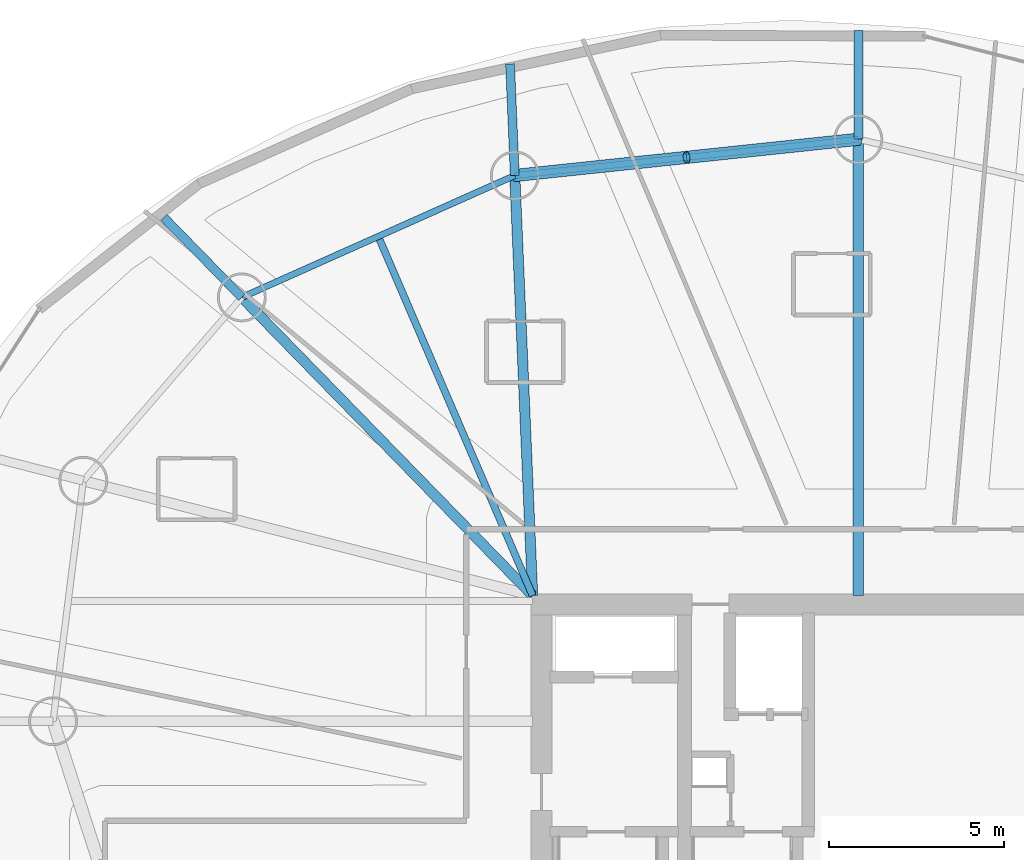
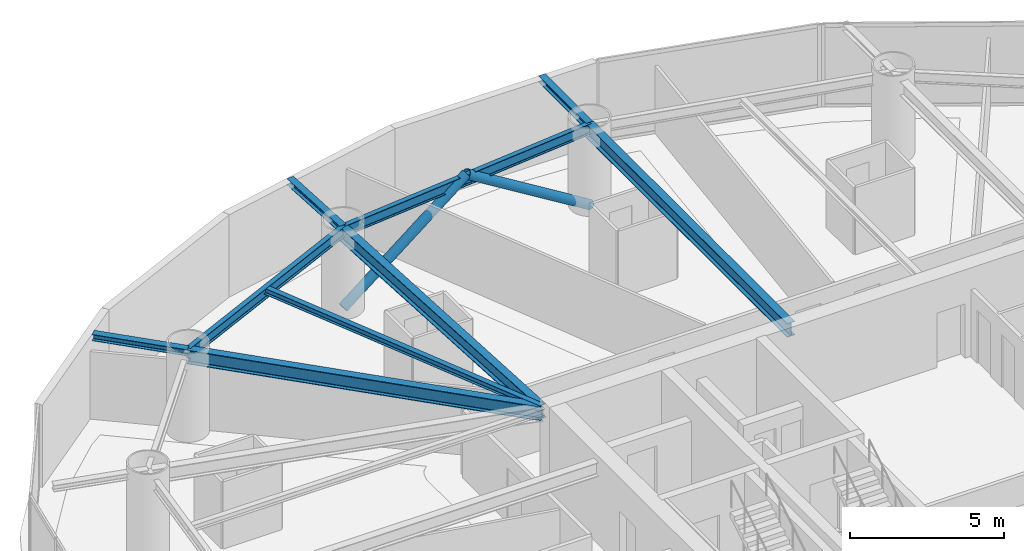
# One storey, part 11 of 22: 9 beams, 2 members.
"""IFC4 building model written with IfcOpenShell, lengths in metres."""

from ifc_helpers import new_model, si_unit, direction, frame, origin, origin_2d, place, context, subcontext, project, spatial, hollow_circle, i_section, extrude, material, material_profile, profile_set, type_object, element, save


model = new_model("IFC4")

# Units and contexts
model_context = context("Model", 3, precision=1e-05, world=origin(), true_north=direction((0.0, 1.0)))
body_context = subcontext(model_context, "Body", "Model", "MODEL_VIEW")
ifc_project = project(units=[si_unit("LENGTHUNIT", "METRE"), si_unit("AREAUNIT", "SQUARE_METRE"), si_unit("VOLUMEUNIT", "CUBIC_METRE"), si_unit("PLANEANGLEUNIT", "RADIAN"), si_unit("MASSUNIT", "GRAM", prefix="KILO")], contexts=[model_context])

# Site, building, storey
site_placement = place(None, origin())
site = spatial("IfcSite", under=ifc_project, at=site_placement, CompositionType="ELEMENT")
building_placement = place(site_placement, origin())
building = spatial("IfcBuilding", under=site, at=building_placement, Name="Bramvorn Convention Spire", CompositionType="ELEMENT")
storey_placement = place(building_placement, frame((0.0, 0.0, 120.300048828125)))
storey = spatial("IfcBuildingStorey", under=building, at=storey_placement, Name="L29", CompositionType="ELEMENT", Elevation=120.300048828125)

# Beams
ifc_material = material(Name="Steel CSA G40.21 Grade 350 (350W)", Category="steel")
ifc_material_profile_1 = material_profile(ifc_material, i_section(OverallWidth=0.201904296875, OverallDepth=0.2470703125, WebThickness=0.00732421875, FlangeThickness=0.010986328125, FilletRadius=0.011962890625, at=origin_2d()))
ifc_profile_set_1 = profile_set([ifc_material_profile_1], Name="Steel CSA G40.21 Grade 350 (350W) - W250X49")
beam_type_1 = type_object("IfcBeamType", Name="BM-W250X49", PredefinedType="JOIST", material=ifc_profile_set_1)
beam_1_placement = place(storey_placement, frame((26.75, 33.449951171875, 3.136474609375), z_axis=(-0.394937739893, 0.918707886985, 0.0), x_axis=(-0.918707886985, -0.394937739893, 0.0)))
element("IfcBeam", 1, at=beam_1_placement, inside=storey, type_object=beam_type_1, Name="L29 composite floor joist 07", PredefinedType="JOIST", context=body_context, shape_type="SweptSolid", body=[
    extrude(i_section(OverallWidth=0.201904296875, OverallDepth=0.2470703125, WebThickness=0.00732421875, FlangeThickness=0.010986328125, FilletRadius=0.011962890625, at=origin_2d()), origin(), (0.0, 0.0, 1.0), 11.19384765625),
])
ifc_material_profile_2 = material_profile(ifc_material, i_section(OverallWidth=0.25390625, OverallDepth=0.2529296875, WebThickness=0.008544921875, FlangeThickness=0.01416015625, FilletRadius=0.011962890625, at=origin_2d()))
ifc_profile_set_2 = profile_set([ifc_material_profile_2], Name="Steel CSA G40.21 Grade 350 (350W) - W250X73")
beam_type_2 = type_object("IfcBeamType", Name="BM-W250X73", PredefinedType="BEAM", material=ifc_profile_set_2)
beam_2_placement = place(storey_placement, frame((36.075927734375, 46.517333984375, 3.133544921875), z_axis=(0.0, 1.0, 0.0), x_axis=(-1.0, 0.0, 0.0)))
element("IfcBeam", 2, at=beam_2_placement, inside=storey, type_object=beam_type_2, Name="L29 slab-edge cantilever tip beam MC06", PredefinedType="BEAM", context=body_context, shape_type="SweptSolid", body=[
    extrude(i_section(OverallWidth=0.25390625, OverallDepth=0.2529296875, WebThickness=0.008544921875, FlangeThickness=0.01416015625, FilletRadius=0.011962890625, at=origin_2d()), origin(), (0.0, 0.0, 1.0), 3.10791015625),
])
for number, where, z_axis, x_axis, name in (
    (3, (26.23828125, 45.478759765625, 3.133544921875), (-0.042496892375, 0.999096599003, 0.0), (-0.999096599003, -0.042496892375, 0.0), "L29 slab-edge cantilever tip beam MC07"),
    (4, (18.420166015625, 41.9892578125, 3.133544921875), (-0.69827808588, 0.715826595468, 0.0), (-0.715826595468, -0.69827808588, 0.0), "L29 slab-edge cantilever tip beam MC08"),
):
    element("IfcBeam", number, at=place(storey_placement, frame(where, z_axis=z_axis, x_axis=x_axis)), inside=storey, type_object=beam_type_2, Name=name, PredefinedType="BEAM", context=body_context, shape_type="SweptSolid", body=[
        extrude(i_section(OverallWidth=0.25390625, OverallDepth=0.2529296875, WebThickness=0.008544921875, FlangeThickness=0.01416015625, FilletRadius=0.011962890625, at=origin_2d()), origin(), (0.0, 0.0, 1.0), 3.199951171875),
    ])
ifc_material_profile_3 = material_profile(ifc_material, i_section(OverallWidth=0.180908203125, OverallDepth=0.4169921875, WebThickness=0.010986328125, FlangeThickness=0.018310546875, FilletRadius=0.01611328125, at=origin_2d()))
ifc_profile_set_3 = profile_set([ifc_material_profile_3], Name="Steel CSA G40.21 Grade 350 (350W) - W410X85")
beam_type_3 = type_object("IfcBeamType", Name="BM-W410X85", PredefinedType="JOIST", material=ifc_profile_set_3)
beam_3_placement = place(storey_placement, frame((36.075927734375, 46.517333984375, 3.051513671875), z_axis=(-0.994473491975, -0.104987969596, 0.0), x_axis=(0.104987969596, -0.994473491975, 0.0)))
element("IfcBeam", 5, at=beam_3_placement, inside=storey, type_object=beam_type_3, Name="L29 mega-column ring beam 06", PredefinedType="JOIST", context=body_context, shape_type="SweptSolid", body=[
    extrude(i_section(OverallWidth=0.180908203125, OverallDepth=0.4169921875, WebThickness=0.010986328125, FlangeThickness=0.018310546875, FilletRadius=0.01611328125, at=origin_2d()), origin(), (0.0, 0.0, 1.0), 9.892333984375),
])
beam_4_placement = place(storey_placement, frame((26.23828125, 45.478759765625, 3.051513671875), z_axis=(-0.913169534701, -0.407579931908, 0.0), x_axis=(0.407579931908, -0.913169534701, 0.0)))
element("IfcBeam", 6, at=beam_4_placement, inside=storey, type_object=beam_type_3, Name="L29 mega-column ring beam 07", PredefinedType="JOIST", context=body_context, shape_type="SweptSolid", body=[
    extrude(i_section(OverallWidth=0.180908203125, OverallDepth=0.4169921875, WebThickness=0.010986328125, FlangeThickness=0.018310546875, FilletRadius=0.01611328125, at=origin_2d()), origin(), (0.0, 0.0, 1.0), 8.5615234375),
])
ifc_material_profile_4 = material_profile(ifc_material, i_section(OverallWidth=0.2919921875, OverallDepth=0.551025390625, WebThickness=0.01513671875, FlangeThickness=0.0244140625, FilletRadius=0.01904296875, at=origin_2d()))
ifc_profile_set_4 = profile_set([ifc_material_profile_4], Name="Steel CSA G40.21 Grade 350 (350W) - W530X182")
beam_type_4 = type_object("IfcBeamType", Name="BM-W530X182", PredefinedType="BEAM", material=ifc_profile_set_4)
beam_5_placement = place(storey_placement, frame((36.075927734375, 33.449951171875, 2.984375), z_axis=(0.0, 1.0, 0.0), x_axis=(-1.0, 0.0, 0.0)))
element("IfcBeam", 7, at=beam_5_placement, inside=storey, type_object=beam_type_4, Name="L29 radial floor girder MC06", PredefinedType="BEAM", context=body_context, shape_type="SweptSolid", body=[
    extrude(i_section(OverallWidth=0.2919921875, OverallDepth=0.551025390625, WebThickness=0.01513671875, FlangeThickness=0.0244140625, FilletRadius=0.01904296875, at=origin_2d()), origin(), (0.0, 0.0, 1.0), 13.0673828125),
])
beam_6_placement = place(storey_placement, frame((26.75, 33.449951171875, 2.984375), z_axis=(-0.042502657955, 0.999096353745, 0.0), x_axis=(-0.999096353745, -0.042502657955, 0.0)))
element("IfcBeam", 8, at=beam_6_placement, inside=storey, type_object=beam_type_4, Name="L29 radial floor girder MC07", PredefinedType="BEAM", context=body_context, shape_type="SweptSolid", body=[
    extrude(i_section(OverallWidth=0.2919921875, OverallDepth=0.551025390625, WebThickness=0.01513671875, FlangeThickness=0.0244140625, FilletRadius=0.01904296875, at=origin_2d()), origin(), (0.0, 0.0, 1.0), 12.039794921875),
])
beam_7_placement = place(storey_placement, frame((26.75, 33.449951171875, 2.984375), z_axis=(-0.698272445638, 0.715832097397, 0.0), x_axis=(-0.715832097397, -0.698272445638, 0.0)))
element("IfcBeam", 9, at=beam_7_placement, inside=storey, type_object=beam_type_4, Name="L29 radial floor girder MC08", PredefinedType="BEAM", context=body_context, shape_type="SweptSolid", body=[
    extrude(i_section(OverallWidth=0.2919921875, OverallDepth=0.551025390625, WebThickness=0.01513671875, FlangeThickness=0.0244140625, FilletRadius=0.01904296875, at=origin_2d()), origin(), (0.0, 0.0, 1.0), 11.92919921875),
])

# Members
ifc_material_profile_5 = material_profile(ifc_material, hollow_circle(Radius=0.177734375, WallThickness=0.015869140625, at=origin_2d()))
ifc_profile_set_5 = profile_set([ifc_material_profile_5], Name="Steel CSA G40.21 Grade 350 (350W) - CHS356X16")
member_type = type_object("IfcMemberType", Name="MBR-CHS356X16", PredefinedType="BRACE", material=ifc_profile_set_5)
member_1_placement = place(storey_placement, frame((36.075927734375, 46.517333984375, 0.0), z_axis=(-0.830346972509, -0.087658725954, 0.550308870553), x_axis=(0.104985392894, -0.994473763997, 0.0)))
element("IfcMember", 10, at=member_1_placement, inside=storey, type_object=member_type, Name="L29 perimeter Gothic lancet brace 6A", PredefinedType="BRACE", context=body_context, shape_type="SweptSolid", body=[
    extrude(hollow_circle(Radius=0.177734375, WallThickness=0.015869140625, at=origin_2d()), origin(), (0.0, 0.0, 1.0), 5.924072265625),
])
member_2_placement = place(storey_placement, frame((26.23828125, 45.478759765625, 0.0), z_axis=(0.830334174424, 0.087661725766, 0.550327702937), x_axis=(-0.104990546424, 0.994473219932, 0.0)))
element("IfcMember", 11, at=member_2_placement, inside=storey, type_object=member_type, Name="L29 perimeter Gothic lancet brace 6B", PredefinedType="BRACE", context=body_context, shape_type="SweptSolid", body=[
    extrude(hollow_circle(Radius=0.177734375, WallThickness=0.015869140625, at=origin_2d()), origin(), (0.0, 0.0, 1.0), 5.923828125),
])

save(model, "model.ifc")
